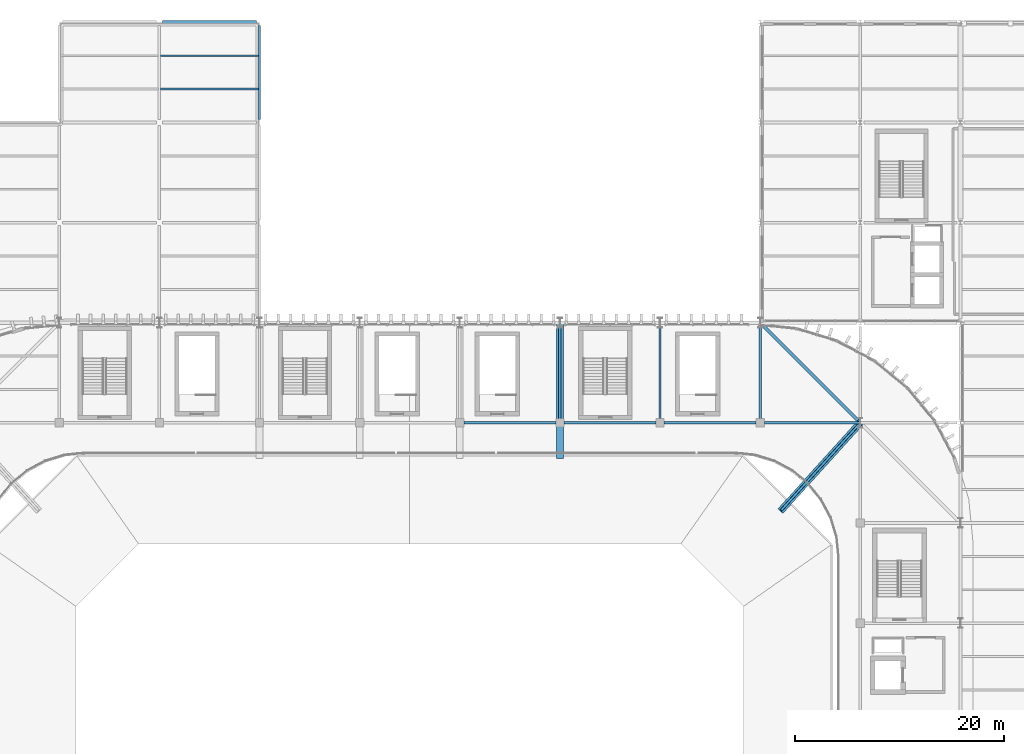
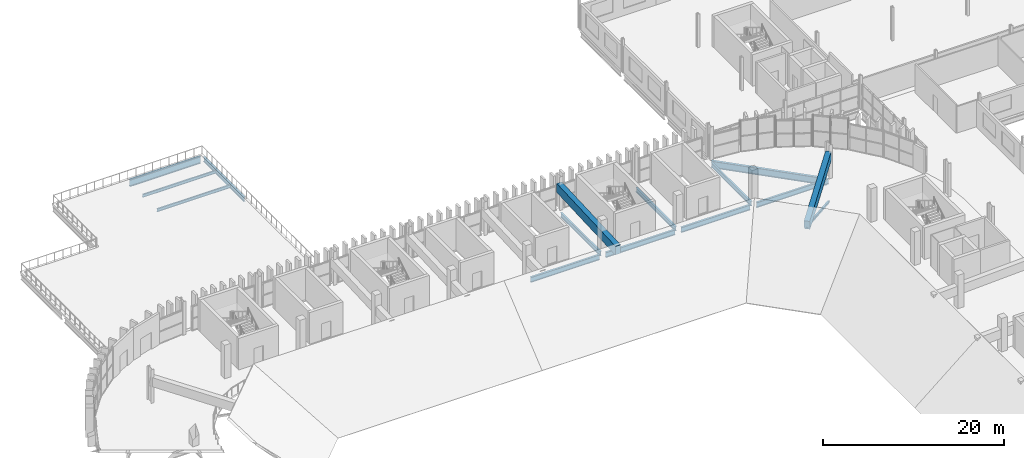
# One storey, part 29 of 69: 14 beams, 1 member.
"""IFC4 building model written with IfcOpenShell, lengths in metres."""

from ifc_helpers import new_model, si_unit, direction, frame, origin, origin_2d, place, context, subcontext, project, spatial, rectangle, hollow_rectangle, i_section, extrude, material, material_profile, profile_set, type_object, element, save


model = new_model("IFC4")

# Units and contexts
model_context = context("Model", 3, precision=1e-05, world=origin(), true_north=direction((0.0, 1.0)))
body_context = subcontext(model_context, "Body", "Model", "MODEL_VIEW")
ifc_project = project(units=[si_unit("LENGTHUNIT", "METRE"), si_unit("AREAUNIT", "SQUARE_METRE"), si_unit("VOLUMEUNIT", "CUBIC_METRE"), si_unit("PLANEANGLEUNIT", "RADIAN"), si_unit("MASSUNIT", "GRAM", prefix="KILO")], contexts=[model_context])

# Site, building, storey
site_placement = place(None, origin())
site = spatial("IfcSite", under=ifc_project, at=site_placement, CompositionType="ELEMENT")
building_placement = place(site_placement, origin())
building = spatial("IfcBuilding", under=site, at=building_placement, Name="Caelomonte Colonnade Arena", CompositionType="ELEMENT")
storey_placement = place(building_placement, frame((0.0, 0.0, 18.60009765625)))
storey = spatial("IfcBuildingStorey", under=building, at=storey_placement, Name="L04", CompositionType="ELEMENT", Elevation=18.60009765625)

# Member
ifc_material_1 = material(Name="Steel ASTM A500 Grade C", Category="steel")
ifc_material_profile_1 = material_profile(ifc_material_1, hollow_rectangle(XDim=0.25390625, YDim=0.25390625, WallThickness=0.0126953125, InnerFilletRadius=0.0126953125, OuterFilletRadius=0.025390625, at=origin_2d()), Name="HSS254X254X12.7")
ifc_profile_set_1 = profile_set([ifc_material_profile_1], Name="Steel ASTM A500 Grade C")
member_type = type_object("IfcMemberType", Name="STR-BF-DIAG1", PredefinedType="BRACE", material=ifc_profile_set_1)
member_placement = place(storey_placement, frame((153.60009765625, 105.60009765625, -3.400146484375), z_axis=(-0.625389570552, -0.691223223706, 0.362075047544), x_axis=(0.741537310868, -0.670911630985, 0.0)))
element("IfcMember", 1, at=member_placement, inside=storey, type_object=member_type, Name="Upper bowl corner raker knee strut NE", PredefinedType="BRACE", context=body_context, shape_type="SweptSolid", body=[
    extrude(hollow_rectangle(XDim=0.25390625, YDim=0.25390625, WallThickness=0.0126953125, InnerFilletRadius=0.0126953125, OuterFilletRadius=0.025390625, at=origin_2d()), origin(), (0.0, 0.0, 1.0), 12.152587890625),
])

# Beams
ifc_material_2 = material(Name="Wide-flange steel ASTM A992 Grade 50", Category="steel")
ifc_material_profile_2 = material_profile(ifc_material_2, i_section(OverallWidth=0.307861328125, OverallDepth=0.927001953125, WebThickness=0.019287109375, FlangeThickness=0.031982421875, FilletRadius=0.020263671875, at=origin_2d()), Name="W36X194")
ifc_profile_set_2 = profile_set([ifc_material_profile_2], Name="Wide-flange steel ASTM A992 Grade 50")
beam_type_1 = type_object("IfcBeamType", Name="STR-BM-EAVES2", PredefinedType="SPANDREL", material=ifc_profile_set_2)
beam_1_placement = place(storey_placement, frame((86.69189453125, 144.0, -0.7236328125), z_axis=(1.0, 0.0, 0.0), x_axis=(0.0, 1.0, 0.0)))
element("IfcBeam", 2, at=beam_1_placement, inside=storey, type_object=beam_type_1, Name="L04 girder BMX-L04-0864-1440", PredefinedType="SPANDREL", context=body_context, shape_type="SweptSolid", body=[
    extrude(i_section(OverallWidth=0.307861328125, OverallDepth=0.927001953125, WebThickness=0.019287109375, FlangeThickness=0.031982421875, FilletRadius=0.020263671875, at=origin_2d()), origin(), (0.0, 0.0, 1.0), 9.01611328125),
])
beam_2_placement = place(storey_placement, frame((153.4560546875, 105.743896484375, -0.7236328125), z_axis=(-0.707106781187, 0.707106781187, 0.0), x_axis=(-0.707106781187, -0.707106781187, 0.0)))
element("IfcBeam", 3, at=beam_2_placement, inside=storey, type_object=beam_type_1, Name="L04 drum corner ring girder 6", PredefinedType="SPANDREL", context=body_context, shape_type="SweptSolid", body=[
    extrude(i_section(OverallWidth=0.307861328125, OverallDepth=0.927001953125, WebThickness=0.019287109375, FlangeThickness=0.031982421875, FilletRadius=0.020263671875, at=origin_2d()), origin(), (0.0, 0.0, 1.0), 13.169189453125),
])
ifc_material_profile_3 = material_profile(ifc_material_2, i_section(OverallWidth=0.227783203125, OverallDepth=0.60205078125, WebThickness=0.010498046875, FlangeThickness=0.014892578125, FilletRadius=0.0126953125, at=origin_2d()), Name="W24X68")
ifc_profile_set_3 = profile_set([ifc_material_profile_3], Name="Wide-flange steel ASTM A992 Grade 50")
beam_type_2 = type_object("IfcBeamType", Name="STR-BM-GIRD24B", PredefinedType="SPANDREL", material=ifc_profile_set_3)
beam_3_placement = place(storey_placement, frame((96.0, 134.69189453125, -0.56103515625), z_axis=(0.0, 1.0, 0.0), x_axis=(-1.0, 0.0, 0.0)))
element("IfcBeam", 4, at=beam_3_placement, inside=storey, type_object=beam_type_2, Name="L04 girder BMY-L04-0960-1344", PredefinedType="SPANDREL", context=body_context, shape_type="SweptSolid", body=[
    extrude(i_section(OverallWidth=0.227783203125, OverallDepth=0.60205078125, WebThickness=0.010498046875, FlangeThickness=0.014892578125, FilletRadius=0.0126953125, at=origin_2d()), origin(), (0.0, 0.0, 1.0), 9.01611328125),
])
for number, where, z_axis, x_axis, name in (
    (5, (124.800048828125, 105.991943359375, -0.56103515625), (0.0, 1.0, 0.0), (-1.0, 0.0, 0.0), "L04 girder BMY-L04-1248-1056"),
    (6, (134.39990234375, 105.991943359375, -0.56103515625), (0.0, 1.0, 0.0), (-1.0, 0.0, 0.0), "L04 girder BMY-L04-1344-1056"),
    (7, (144.0, 105.991943359375, -0.56103515625), (0.0, 1.0, 0.0), (-1.0, 0.0, 0.0), "L04 girder BMY-L04-1440-1056"),
):
    element("IfcBeam", number, at=place(storey_placement, frame(where, z_axis=z_axis, x_axis=x_axis)), inside=storey, type_object=beam_type_2, Name=name, PredefinedType="SPANDREL", context=body_context, shape_type="SweptSolid", body=[
        extrude(i_section(OverallWidth=0.227783203125, OverallDepth=0.60205078125, WebThickness=0.010498046875, FlangeThickness=0.014892578125, FilletRadius=0.0126953125, at=origin_2d()), origin(), (0.0, 0.0, 1.0), 8.742431640625),
    ])
ifc_material_profile_4 = material_profile(ifc_material_2, i_section(OverallWidth=0.253662109375, OverallDepth=0.683349609375, WebThickness=0.012451171875, FlangeThickness=0.018798828125, FilletRadius=0.01513671875, at=origin_2d()), Name="W27X94")
ifc_profile_set_4 = profile_set([ifc_material_profile_4], Name="Wide-flange steel ASTM A992 Grade 50")
beam_type_3 = type_object("IfcBeamType", Name="STR-BM-GIRD27", PredefinedType="BEAM", material=ifc_profile_set_4)
beam_4_placement = place(storey_placement, frame((115.592041015625, 105.60009765625, -0.601806640625), z_axis=(1.0, 0.0, 0.0), x_axis=(0.0, 1.0, 0.0)))
element("IfcBeam", 8, at=beam_4_placement, inside=storey, type_object=beam_type_3, Name="L04 girder BMX-L04-1152-1056", PredefinedType="BEAM", context=body_context, shape_type="SweptSolid", body=[
    extrude(i_section(OverallWidth=0.253662109375, OverallDepth=0.683349609375, WebThickness=0.012451171875, FlangeThickness=0.018798828125, FilletRadius=0.01513671875, at=origin_2d()), origin(), (0.0, 0.0, 1.0), 8.81591796875),
])
beam_5_placement = place(storey_placement, frame((125.19189453125, 105.60009765625, -0.601806640625), z_axis=(1.0, 0.0, 0.0), x_axis=(0.0, 1.0, 0.0)))
element("IfcBeam", 9, at=beam_5_placement, inside=storey, type_object=beam_type_3, Name="L04 girder BMX-L04-1248-1056", PredefinedType="BEAM", context=body_context, shape_type="SweptSolid", body=[
    extrude(i_section(OverallWidth=0.253662109375, OverallDepth=0.683349609375, WebThickness=0.012451171875, FlangeThickness=0.018798828125, FilletRadius=0.01513671875, at=origin_2d()), origin(), (0.0, 0.0, 1.0), 8.816162109375),
])
beam_6_placement = place(storey_placement, frame((134.7919921875, 105.60009765625, -0.601806640625), z_axis=(1.0, 0.0, 0.0), x_axis=(0.0, 1.0, 0.0)))
element("IfcBeam", 10, at=beam_6_placement, inside=storey, type_object=beam_type_3, Name="L04 girder BMX-L04-1344-1056", PredefinedType="BEAM", context=body_context, shape_type="SweptSolid", body=[
    extrude(i_section(OverallWidth=0.253662109375, OverallDepth=0.683349609375, WebThickness=0.012451171875, FlangeThickness=0.018798828125, FilletRadius=0.01513671875, at=origin_2d()), origin(), (0.0, 0.0, 1.0), 8.81591796875),
])
beam_7_placement = place(storey_placement, frame((144.39208984375, 105.60009765625, -0.601806640625), z_axis=(1.0, 0.0, 0.0), x_axis=(0.0, 1.0, 0.0)))
element("IfcBeam", 11, at=beam_7_placement, inside=storey, type_object=beam_type_3, Name="L04 girder BMX-L04-1440-1056", PredefinedType="BEAM", context=body_context, shape_type="SweptSolid", body=[
    extrude(i_section(OverallWidth=0.253662109375, OverallDepth=0.683349609375, WebThickness=0.012451171875, FlangeThickness=0.018798828125, FilletRadius=0.01513671875, at=origin_2d()), origin(), (0.0, 0.0, 1.0), 9.19580078125),
])
ifc_material_profile_5 = material_profile(ifc_material_2, i_section(OverallWidth=0.177734375, OverallDepth=0.406494140625, WebThickness=0.0078125, FlangeThickness=0.0126953125, FilletRadius=0.01025390625, at=origin_2d()), Name="W16X40")
ifc_profile_set_5 = profile_set([ifc_material_profile_5], Name="Wide-flange steel ASTM A992 Grade 50")
beam_type_4 = type_object("IfcBeamType", Name="STR-BM-JOIST16", PredefinedType="JOIST", material=ifc_profile_set_5)
for number, where, z_axis, x_axis, name in (
    (12, (86.5087890625, 137.60009765625, -0.46337890625), (1.0, 0.0, 0.0), (0.0, 1.0, 0.0), "L04 secondary joist 1"),
    (13, (86.5087890625, 140.800048828125, -0.46337890625), (1.0, 0.0, 0.0), (0.0, 1.0, 0.0), "L04 secondary joist 2"),
):
    element("IfcBeam", number, at=place(storey_placement, frame(where, z_axis=z_axis, x_axis=x_axis)), inside=storey, type_object=beam_type_4, Name=name, PredefinedType="JOIST", context=body_context, shape_type="SweptSolid", body=[
        extrude(i_section(OverallWidth=0.177734375, OverallDepth=0.406494140625, WebThickness=0.0078125, FlangeThickness=0.0126953125, FilletRadius=0.01025390625, at=origin_2d()), origin(), (0.0, 0.0, 1.0), 9.38232421875),
    ])
ifc_material_3 = material(Name="Concrete C50/60", Category="concrete")
ifc_material_profile_6 = material_profile(ifc_material_3, rectangle(XDim=0.64990234375, YDim=1.199951171875, at=origin_2d()), Name="RC650X1200")
ifc_profile_set_6 = profile_set([ifc_material_profile_6], Name="Concrete C50/60")
beam_type_5 = type_object("IfcBeamType", Name="STR-BM-RKU", PredefinedType="USERDEFINED", material=ifc_profile_set_6)
beam_8_placement = place(storey_placement, frame((124.800048828125, 115.179931640625, 2.849853515625), z_axis=(0.0, -0.998933852291, -0.046164474948), x_axis=(1.0, 0.0, 0.0)))
element("IfcBeam", 14, at=beam_8_placement, inside=storey, type_object=beam_type_5, Name="Upper bowl cantilevered raker girder N-124", ObjectType="RAKER", PredefinedType="USERDEFINED", context=body_context, shape_type="SweptSolid", body=[
    extrude(rectangle(XDim=0.64990234375, YDim=1.199951171875, at=origin_2d()), origin(), (0.0, 0.0, 1.0), 12.993896484375),
])
beam_9_placement = place(storey_placement, frame((153.60009765625, 105.60009765625, 2.85986328125), z_axis=(-0.663822842943, -0.733702298655, -0.144983344336), x_axis=(0.741537310868, -0.670911630985, 0.0)))
element("IfcBeam", 15, at=beam_9_placement, inside=storey, type_object=beam_type_5, Name="Upper bowl corner raker girder NE", ObjectType="RAKER", PredefinedType="USERDEFINED", context=body_context, shape_type="SweptSolid", body=[
    extrude(rectangle(XDim=0.64990234375, YDim=1.199951171875, at=origin_2d()), origin(), (0.0, 0.0, 1.0), 11.448974609375),
])

save(model, "model.ifc")
